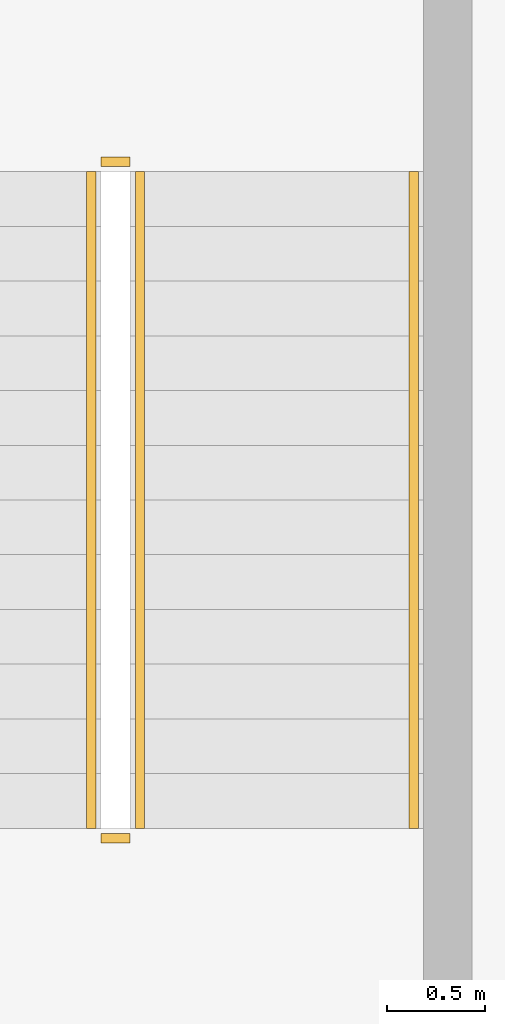
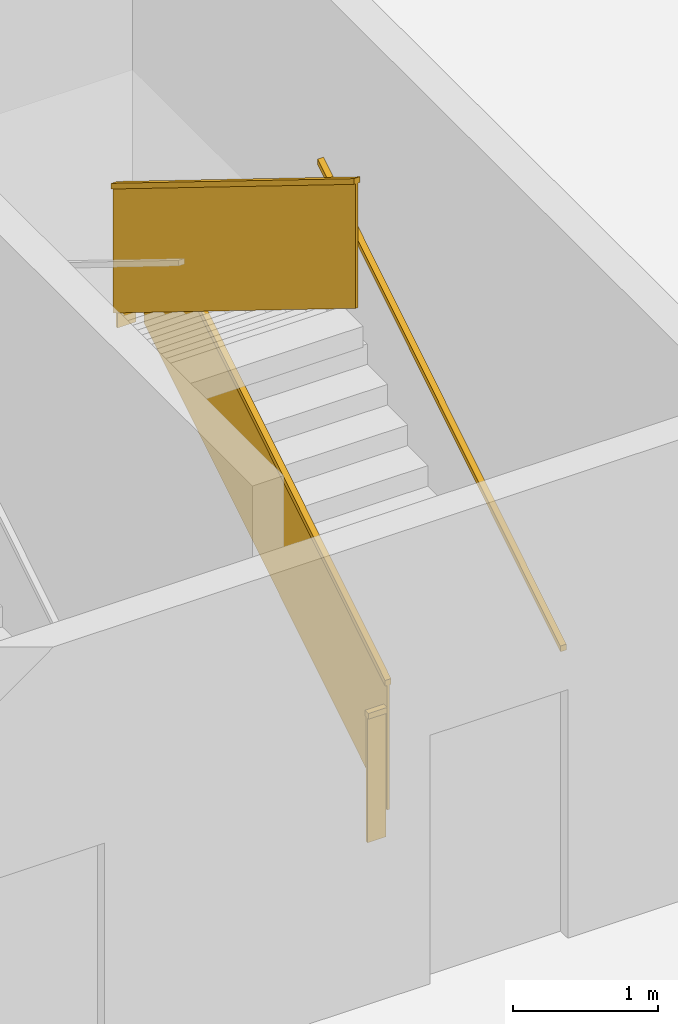
# One storey, part 15 of 17: 5 railings.
"""IFC4 building model written with IfcOpenShell, lengths in metres."""

from ifc_helpers import new_model, si_unit, direction, frame, origin, origin_2d, place, context, subcontext, project, spatial, rectangle, extrude, material, type_object, element, save


model = new_model("IFC4")

# Units and contexts
model_context = context("Model", 3, precision=1e-05, world=origin(), true_north=direction((0.0, 1.0)))
body_context = subcontext(model_context, "Body", "Model", "MODEL_VIEW")
ifc_project = project(units=[si_unit("LENGTHUNIT", "METRE"), si_unit("AREAUNIT", "SQUARE_METRE"), si_unit("VOLUMEUNIT", "CUBIC_METRE"), si_unit("PLANEANGLEUNIT", "RADIAN"), si_unit("MASSUNIT", "GRAM", prefix="KILO")], contexts=[model_context])

# Site, building, storey
site_placement = place(None, origin())
site = spatial("IfcSite", under=ifc_project, at=site_placement, CompositionType="ELEMENT")
building_placement = place(site_placement, origin())
building = spatial("IfcBuilding", under=site, at=building_placement, Name="Mirante Cascada Hotel Towers", CompositionType="ELEMENT")
storey_placement = place(building_placement, frame((0.0, 0.0, -4.5)))
storey = spatial("IfcBuildingStorey", under=building, at=storey_placement, Name="B1", CompositionType="ELEMENT", Elevation=-4.5)

# Railings
ifc_material_1 = material(Name="Painted steel", Category="steel")
railing_type_1 = type_object("IfcRailingType", Name="Podium stair guard 1100 steel balustrade", PredefinedType="GUARDRAIL", material=ifc_material_1)
railing_1_placement = place(storey_placement, frame((-20.375, -15.775, 0.1731)))
element("IfcRailing", 1, at=railing_1_placement, inside=storey, type_object=railing_type_1, Name="B1 PS1 stair guard 1", PredefinedType="GUARDRAIL", context=body_context, shape_type="SweptSolid", body=[
    extrude(rectangle(XDim=0.048, YDim=0.048, at=origin_2d()), frame((0.0, 0.0, 1.076), z_axis=(0.0, 1.0, 0.0), x_axis=(-1.0, 0.0, 0.0)), (0.0, 0.5257871, 0.8506162), 3.9501),
    extrude(rectangle(XDim=0.02, YDim=1.052, at=origin_2d()), frame((0.0, 0.0, 0.526), z_axis=(0.0, 1.0, 0.0), x_axis=(-1.0, 0.0, 0.0)), (0.0, 0.5257871, 0.8506162), 3.9501),
])
railing_2_placement = place(storey_placement, frame((-20.425, -12.365, 2.25)))
element("IfcRailing", 2, at=railing_2_placement, inside=storey, type_object=railing_type_1, Name="B1 PS1 stair guard 2", PredefinedType="GUARDRAIL", context=body_context, shape_type="SweptSolid", body=[
    extrude(rectangle(XDim=0.048, YDim=0.048, at=origin_2d()), frame((0.0, 0.0, 1.076), z_axis=(-1.0, 0.0, 0.0), x_axis=(0.0, -1.0, 0.0)), (0.0, 0.0, 1.0), 0.15),
    extrude(rectangle(XDim=0.02, YDim=1.052, at=origin_2d()), frame((0.0, 0.0, 0.526), z_axis=(-1.0, 0.0, 0.0), x_axis=(0.0, -1.0, 0.0)), (0.0, 0.0, 1.0), 0.15),
])
railing_3_placement = place(storey_placement, frame((-20.625, -12.415, 2.4231)))
element("IfcRailing", 3, at=railing_3_placement, inside=storey, type_object=railing_type_1, Name="B1 PS1 stair guard 3", PredefinedType="GUARDRAIL", context=body_context, shape_type="SweptSolid", body=[
    extrude(rectangle(XDim=0.048, YDim=0.048, at=origin_2d()), frame((0.0, 0.0, 1.076), z_axis=(0.0, -1.0, 0.0), x_axis=(1.0, 0.0, 0.0)), (0.0, 0.5257871, 0.8506162), 3.9501),
    extrude(rectangle(XDim=0.02, YDim=1.052, at=origin_2d()), frame((0.0, 0.0, 0.526), z_axis=(0.0, -1.0, 0.0), x_axis=(1.0, 0.0, 0.0)), (0.0, 0.5257871, 0.8506162), 3.9501),
])
railing_4_placement = place(storey_placement, frame((-20.425, -15.825, 0.0)))
element("IfcRailing", 4, at=railing_4_placement, inside=storey, type_object=railing_type_1, Name="B1 PS1 stair guard 4", PredefinedType="GUARDRAIL", context=body_context, shape_type="SweptSolid", body=[
    extrude(rectangle(XDim=0.048, YDim=0.048, at=origin_2d()), frame((0.0, 0.0, 1.076), z_axis=(-1.0, 0.0, 0.0), x_axis=(0.0, -1.0, 0.0)), (0.0, 0.0, 1.0), 0.15),
    extrude(rectangle(XDim=0.02, YDim=1.052, at=origin_2d()), frame((0.0, 0.0, 0.526), z_axis=(-1.0, 0.0, 0.0), x_axis=(0.0, -1.0, 0.0)), (0.0, 0.0, 1.0), 0.15),
])
ifc_material_2 = material(Name="Painted steel", Category="steel")
railing_type_2 = type_object("IfcRailingType", Name="Podium stair handrail 900 steel tube", PredefinedType="HANDRAIL", material=ifc_material_2)
railing_5_placement = place(storey_placement, frame((-18.975, -15.775, 0.1731)))
element("IfcRailing", 5, at=railing_5_placement, inside=storey, type_object=railing_type_2, Name="B1 PS1 stair handrail 1", PredefinedType="HANDRAIL", context=body_context, shape_type="SweptSolid", body=[
    extrude(rectangle(XDim=0.048, YDim=0.048, at=origin_2d()), frame((0.0, 0.0, 0.876), z_axis=(0.0, 1.0, 0.0), x_axis=(-1.0, 0.0, 0.0)), (0.0, 0.5257871, 0.8506162), 3.9501),
])

save(model, "model.ifc")
